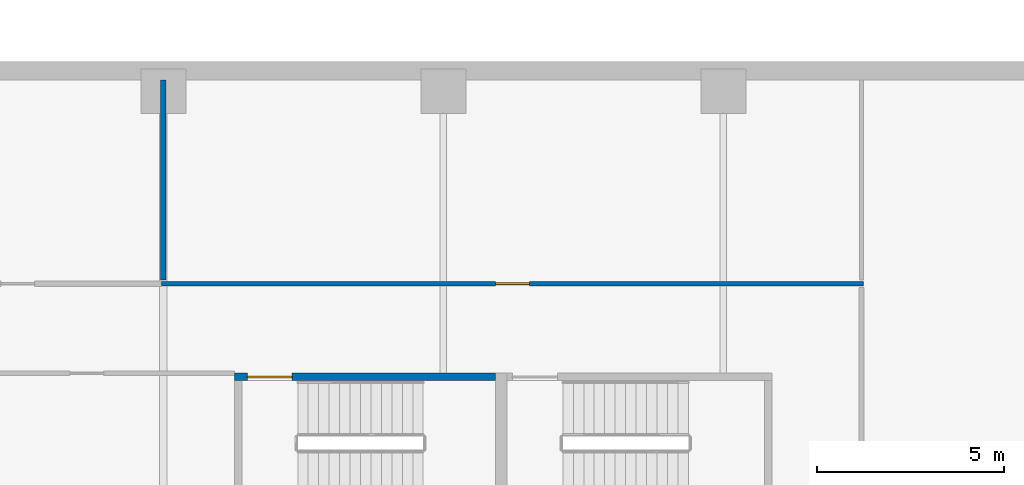
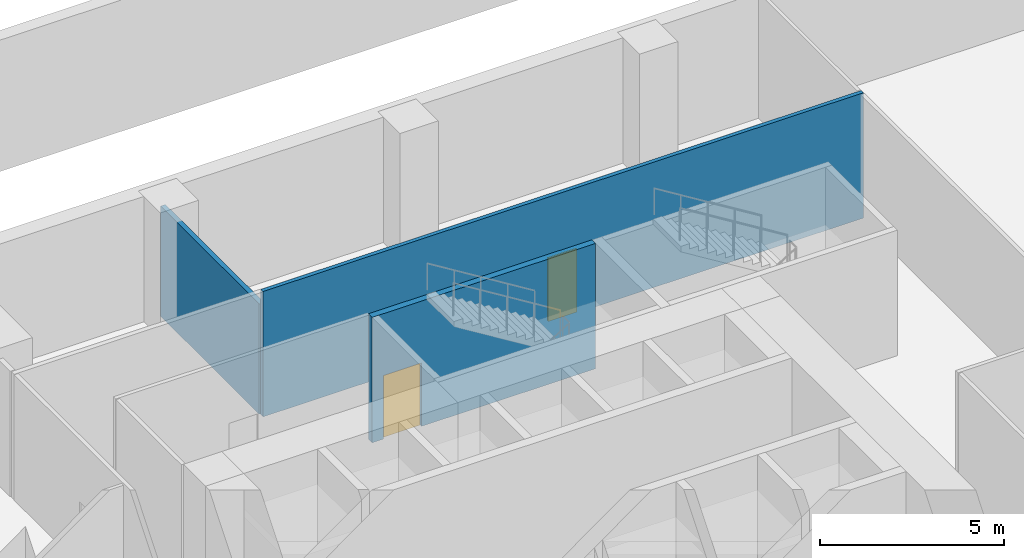
# One storey, part 5 of 11: 3 walls, 2 doors, 2 openings.
"""IFC4 building model written with IfcOpenShell, lengths in metres."""

from ifc_helpers import new_model, si_unit, direction, frame, frame_2d, origin, place, context, subcontext, project, spatial, rectangle, extrude, source, transform, mapped, material, layer, layer_set, type_object, element, fill, save


model = new_model("IFC4")

# Units and contexts
model_context = context("Model", 3, precision=1e-05, world=origin(), true_north=direction((0.0, 1.0)))
body_context = subcontext(model_context, "Body", "Model", "MODEL_VIEW")
ifc_project = project(units=[si_unit("LENGTHUNIT", "METRE"), si_unit("AREAUNIT", "SQUARE_METRE"), si_unit("VOLUMEUNIT", "CUBIC_METRE"), si_unit("PLANEANGLEUNIT", "RADIAN"), si_unit("MASSUNIT", "GRAM", prefix="KILO")], contexts=[model_context])

# Site, building, storey
site_placement = place(None, origin())
site = spatial("IfcSite", under=ifc_project, at=site_placement, CompositionType="ELEMENT")
building_placement = place(site_placement, origin())
building = spatial("IfcBuilding", under=site, at=building_placement, Name="Khomas Fold Tower", CompositionType="ELEMENT")
storey_placement = place(building_placement, frame((0.0, 0.0, -4.5)))
storey = spatial("IfcBuildingStorey", under=building, at=storey_placement, Name="B1", CompositionType="ELEMENT", Elevation=-4.5)

# Wall, opening, door
ifc_material_1 = material(Name="Concrete C50/60", Category="concrete")
ifc_layer_1 = layer(ifc_material_1, 0.199951171875)
ifc_layer_set_1 = layer_set([ifc_layer_1], Name="Concrete C50/60")
wall_type_1 = type_object("IfcWallType", Name="Stair wall 200", PredefinedType="SHEAR", material=ifc_layer_set_1)
shared_shape_1 = source(origin(), body_context, "Body", "SweptSolid", [
    extrude(rectangle(XDim=7.0, YDim=0.199951171875, at=frame_2d((3.5, 0.0))), origin(), (0.0, 0.0, 1.0), 4.14990234375),
])
wall_1_placement = place(storey_placement, frame((13.89990234375, 45.550048828125, 0.0), z_axis=(0.0, 0.0, 1.0), x_axis=(1.0, 0.0, 0.0)))
wall_1 = element("IfcWall", 1, at=wall_1_placement, inside=storey, type_object=wall_type_1, Name="Stair wall SW-ST1-N", PredefinedType="SHEAR", context=body_context, shape_type="MappedRepresentation", body=[
    mapped(shared_shape_1, transform((0.0, 0.0, 0.0))),
])
shared_shape_2 = source(origin(), body_context, "Body", "SweptSolid", [
    extrude(rectangle(XDim=1.199951171875, YDim=2.10009765625, at=frame_2d((0.60009765625, 1.050048828125))), frame((0.0, 0.10986328125, 0.0), z_axis=(0.0, -1.0, 0.0), x_axis=(1.0, 0.0, 0.0)), (0.0, 0.0, 1.0), 0.219970703125),
])
opening_1_placement = place(wall_1_placement, frame((0.35009765625, 0.0, 0.0)))
opening_1 = element("IfcOpeningElement", 2, at=opening_1_placement, cuts=wall_1, Name="Opening SD-ST1", PredefinedType="OPENING", context=body_context, shape_type="MappedRepresentation", body=[
    mapped(shared_shape_2, transform((0.0, 0.0, 0.0))),
])
ifc_material_2 = material(Name="Steel door leaf", Category="steel")
door_type_1 = type_object("IfcDoorType", Name="Stair door 1200x2100 left-hand", OperationType="SINGLE_SWING_LEFT", PredefinedType="DOOR", material=ifc_material_2)
shared_shape_3 = source(origin(), body_context, "Body", "SweptSolid", [
    extrude(rectangle(XDim=1.199951171875, YDim=2.10009765625, at=frame_2d((0.60009765625, 1.050048828125))), frame((0.0, 0.02490234375, 0.0), z_axis=(0.0, -1.0, 0.0), x_axis=(1.0, 0.0, 0.0)), (0.0, 0.0, 1.0), 0.050048828125),
])
door_1_placement = place(opening_1_placement, origin())
door_1 = element("IfcDoor", 3, at=door_1_placement, inside=storey, type_object=door_type_1, Name="Stair door", OperationType="SINGLE_SWING_LEFT", OverallHeight=2.10009765625, OverallWidth=1.199951171875, PredefinedType="DOOR", context=body_context, shape_type="MappedRepresentation", body=[
    mapped(shared_shape_3, transform((0.0, 0.0, 0.0))),
])
fill(opening_1, door_1)

ifc_material_3 = material(Name="Plasterboard partition")
ifc_layer_2 = layer(ifc_material_3, 0.125)
ifc_layer_set_2 = layer_set([ifc_layer_2], Name="Plasterboard partition")
wall_type_2 = type_object("IfcWallType", Name="Partition PW2 125", PredefinedType="PARTITIONING", material=ifc_layer_set_2)
shared_shape_4 = source(origin(), body_context, "Body", "SweptSolid", [
    extrude(rectangle(XDim=18.800048828125, YDim=0.125, at=frame_2d((9.39990234375, 0.0))), origin(), (0.0, 0.0, 1.0), 4.14990234375),
])
wall_2_placement = place(storey_placement, frame((11.949951171875, 48.050048828125, 0.0), z_axis=(0.0, 0.0, 1.0), x_axis=(1.0, 0.0, 0.0)))
wall_2 = element("IfcWall", 4, at=wall_2_placement, inside=storey, type_object=wall_type_2, Name="Partition", PredefinedType="PARTITIONING", context=body_context, shape_type="MappedRepresentation", body=[
    mapped(shared_shape_4, transform((0.0, 0.0, 0.0))),
])
shared_shape_5 = source(origin(), body_context, "Body", "SweptSolid", [
    extrude(rectangle(XDim=0.89990234375, YDim=2.10009765625, at=frame_2d((0.449951171875, 1.050048828125))), frame((0.0, 0.072509765625, 0.0), z_axis=(0.0, -1.0, 0.0), x_axis=(1.0, 0.0, 0.0)), (0.0, 0.0, 1.0), 0.14501953125),
])
opening_2_placement = place(wall_2_placement, frame((8.949951171875, 0.0, 0.0)))
opening_2 = element("IfcOpeningElement", 5, at=opening_2_placement, cuts=wall_2, Name="Opening 0008", PredefinedType="OPENING", context=body_context, shape_type="MappedRepresentation", body=[
    mapped(shared_shape_5, transform((0.0, 0.0, 0.0))),
])
ifc_material_4 = material(Name="Timber door leaf", Category="wood")
door_type_2 = type_object("IfcDoorType", Name="Door 900x2100 right-hand", OperationType="SINGLE_SWING_RIGHT", PredefinedType="DOOR", material=ifc_material_4)
shared_shape_6 = source(origin(), body_context, "Body", "SweptSolid", [
    extrude(rectangle(XDim=0.89990234375, YDim=2.10009765625, at=frame_2d((0.449951171875, 1.050048828125))), frame((0.0, 0.02490234375, 0.0), z_axis=(0.0, -1.0, 0.0), x_axis=(1.0, 0.0, 0.0)), (0.0, 0.0, 1.0), 0.050048828125),
])
door_2_placement = place(opening_2_placement, origin())
door_2 = element("IfcDoor", 6, at=door_2_placement, inside=storey, type_object=door_type_2, Name="Door", OperationType="SINGLE_SWING_RIGHT", OverallHeight=2.10009765625, OverallWidth=0.89990234375, PredefinedType="DOOR", context=body_context, shape_type="MappedRepresentation", body=[
    mapped(shared_shape_6, transform((0.0, 0.0, 0.0))),
])
fill(opening_2, door_2)

# Wall
ifc_material_5 = material(Name="Plasterboard fire partition")
ifc_layer_3 = layer(ifc_material_5, 0.14990234375)
ifc_layer_set_3 = layer_set([ifc_layer_3], Name="Plasterboard fire partition")
wall_type_3 = type_object("IfcWallType", Name="Plant room wall PW3 150", PredefinedType="PARTITIONING", material=ifc_layer_set_3)
shared_shape_7 = source(origin(), body_context, "Body", "SweptSolid", [
    extrude(rectangle(XDim=5.35009765625, YDim=0.14990234375, at=frame_2d((2.675048828125, 0.0))), origin(), (0.0, 0.0, 1.0), 3.64990234375),
])
wall_3_placement = place(storey_placement, frame((12.0, 48.14990234375, 0.0), z_axis=(0.0, 0.0, 1.0), x_axis=(0.0, 1.0, 0.0)))
element("IfcWall", 7, at=wall_3_placement, inside=storey, type_object=wall_type_3, Name="Plant room wall", PredefinedType="PARTITIONING", context=body_context, shape_type="MappedRepresentation", body=[
    mapped(shared_shape_7, transform((0.0, 0.0, 0.0))),
])

save(model, "model.ifc")
